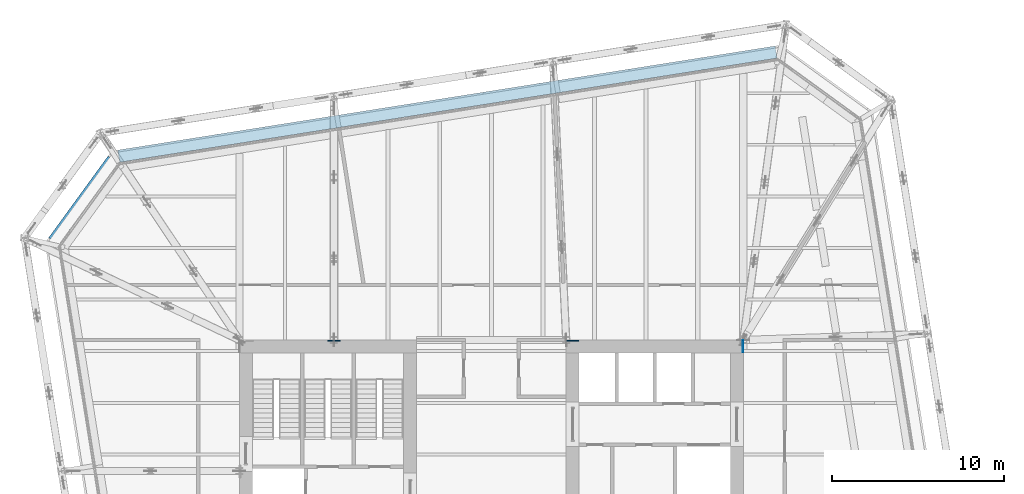
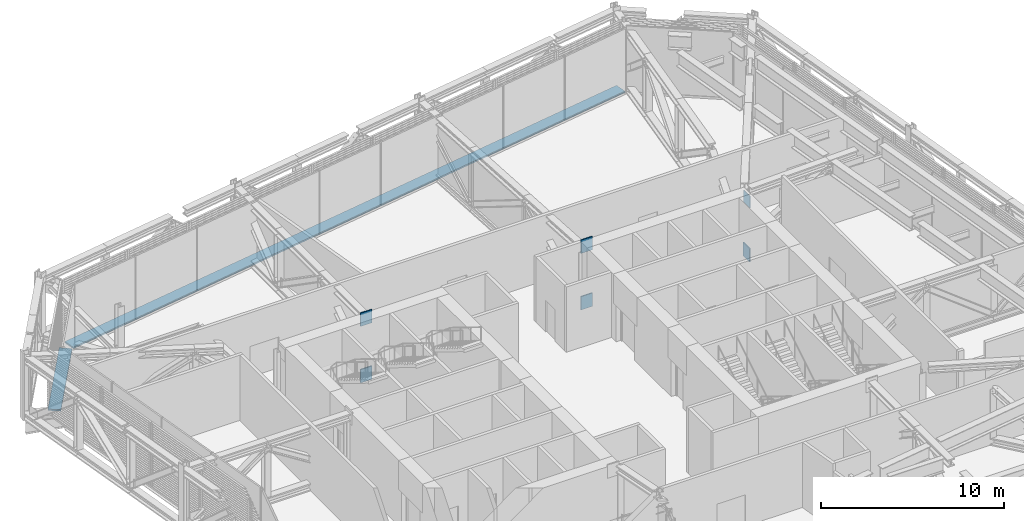
# One storey, part 25 of 31: 8 discrete accessories.
"""IFC4 building model written with IfcOpenShell, lengths in metres."""

from ifc_helpers import new_model, si_unit, direction, frame, origin, origin_2d, place, context, subcontext, project, spatial, rectangle, extrude, material, layer, layer_set, type_object, element, save


model = new_model("IFC4")

# Units and contexts
model_context = context("Model", 3, precision=1e-05, world=origin(), true_north=direction((0.0, 1.0)))
body_context = subcontext(model_context, "Body", "Model", "MODEL_VIEW")
ifc_project = project(units=[si_unit("LENGTHUNIT", "METRE"), si_unit("AREAUNIT", "SQUARE_METRE"), si_unit("VOLUMEUNIT", "CUBIC_METRE"), si_unit("PLANEANGLEUNIT", "RADIAN"), si_unit("MASSUNIT", "GRAM", prefix="KILO")], contexts=[model_context])

# Site, building, storey
site_placement = place(None, origin())
site = spatial("IfcSite", under=ifc_project, at=site_placement, CompositionType="ELEMENT")
building_placement = place(site_placement, origin())
building = spatial("IfcBuilding", under=site, at=building_placement, Name="Millrace Tower", CompositionType="ELEMENT")
storey_placement = place(building_placement, frame((0.0, 0.0, 195.60009765625)))
storey = spatial("IfcBuildingStorey", under=building, at=storey_placement, Name="L44", CompositionType="ELEMENT", Elevation=195.60009765625)

# Discrete accessories
ifc_material_1 = material(Name="Steel ASTM A572 Grade 50", Category="steel")
ifc_layer_1 = layer(ifc_material_1, 0.02490234375)
ifc_layer_set_1 = layer_set([ifc_layer_1], Name="Steel ASTM A572 Grade 50")
discrete_accessory_type_1 = type_object("IfcDiscreteAccessoryType", Name="Cast-in anchor plate 700x785x25", PredefinedType="ANCHORPLATE", material=ifc_layer_set_1)
discrete_accessory_1_placement = place(storey_placement, frame((14.625, 9.300048828125, 3.75732421875), z_axis=(1.0, 0.0, 0.0), x_axis=(0.0, 1.0, 0.0)))
element("IfcDiscreteAccessory", 1, at=discrete_accessory_1_placement, inside=storey, type_object=discrete_accessory_type_1, Name="Cast-in anchor plate BLT-L44-O08-V00", PredefinedType="ANCHORPLATE", context=body_context, shape_type="SweptSolid", body=[
    extrude(rectangle(XDim=0.699951171875, YDim=0.784912109375, at=origin_2d()), origin(), (0.0, 0.0, 1.0), 0.02490234375),
])
ifc_material_2 = material(Name="Steel ASTM A572 Grade 50", Category="steel")
ifc_layer_2 = layer(ifc_material_2, 0.070068359375)
ifc_layer_set_2 = layer_set([ifc_layer_2], Name="Steel ASTM A572 Grade 50")
discrete_accessory_type_2 = type_object("IfcDiscreteAccessoryType", Name="Cast-in anchor plate 730x885x70", PredefinedType="ANCHORPLATE", material=ifc_layer_set_2)
for number, where, z_axis, x_axis, name in (
    (2, (14.580078125, 9.284912109375, 0.2412109375), (1.0, 0.0, 0.0), (0.0, 1.0, 0.0), "Cast-in anchor plate BLT-L44-O08-B01"),
    (3, (4.715087890625, 9.580078125, 0.2412109375), (0.0, 1.0, 0.0), (-1.0, 0.0, 0.0), "Cast-in anchor plate BLT-L44-O11-B01"),
    (4, (4.715087890625, 9.580078125, 3.99853515625), (0.0, 1.0, 0.0), (-1.0, 0.0, 0.0), "Cast-in anchor plate BLT-L44-O11-T01"),
    (5, (-9.15966796875, 9.580078125, 0.2412109375), (0.0, 1.0, 0.0), (-1.0, 0.0, 0.0), "Cast-in anchor plate BLT-L44-O12-B01"),
    (6, (-9.15966796875, 9.580078125, 3.99853515625), (0.0, 1.0, 0.0), (-1.0, 0.0, 0.0), "Cast-in anchor plate BLT-L44-O12-T01"),
):
    element("IfcDiscreteAccessory", number, at=place(storey_placement, frame(where, z_axis=z_axis, x_axis=x_axis)), inside=storey, type_object=discrete_accessory_type_2, Name=name, PredefinedType="ANCHORPLATE", context=body_context, shape_type="SweptSolid", body=[
        extrude(rectangle(XDim=0.72998046875, YDim=0.885009765625, at=origin_2d()), origin(), (0.0, 0.0, 1.0), 0.06982421875),
    ])
ifc_material_3 = material(Name="Stainless steel ASTM A240 type 316", Category="steel")
discrete_accessory_type_3 = type_object("IfcDiscreteAccessoryType", Name="Thermally broken screen support rail", PredefinedType="BRACKET", material=ifc_material_3)
discrete_accessory_2_placement = place(storey_placement, frame((-2.555908203125, 23.364501953125, -0.000244140625), z_axis=(0.0, 0.0, 1.0), x_axis=(-0.98768833929, -0.15643447328, 0.0)))
element("IfcDiscreteAccessory", 7, at=discrete_accessory_2_placement, inside=storey, type_object=discrete_accessory_type_3, Name="Thermally broken screen support rail C-F06 L44 1", PredefinedType="BRACKET", context=body_context, shape_type="SweptSolid", body=[
    extrude(rectangle(XDim=38.699951171875, YDim=0.719970703125, at=origin_2d()), origin(), (0.0, 0.0, 1.0), 0.10009765625),
])
discrete_accessory_3_placement = place(storey_placement, frame((-23.725341796875, 17.75927734375, -0.000244140625), z_axis=(0.0, 0.0, 1.0), x_axis=(-0.587785269844, -0.809016981623, 0.0)))
element("IfcDiscreteAccessory", 8, at=discrete_accessory_3_placement, inside=storey, type_object=discrete_accessory_type_3, Name="Thermally broken screen support rail C-F07 L44 1", PredefinedType="BRACKET", context=body_context, shape_type="SweptSolid", body=[
    extrude(rectangle(XDim=5.868896484375, YDim=0.719970703125, at=origin_2d()), origin(), (0.0, 0.0, 1.0), 0.10009765625),
])

save(model, "model.ifc")
